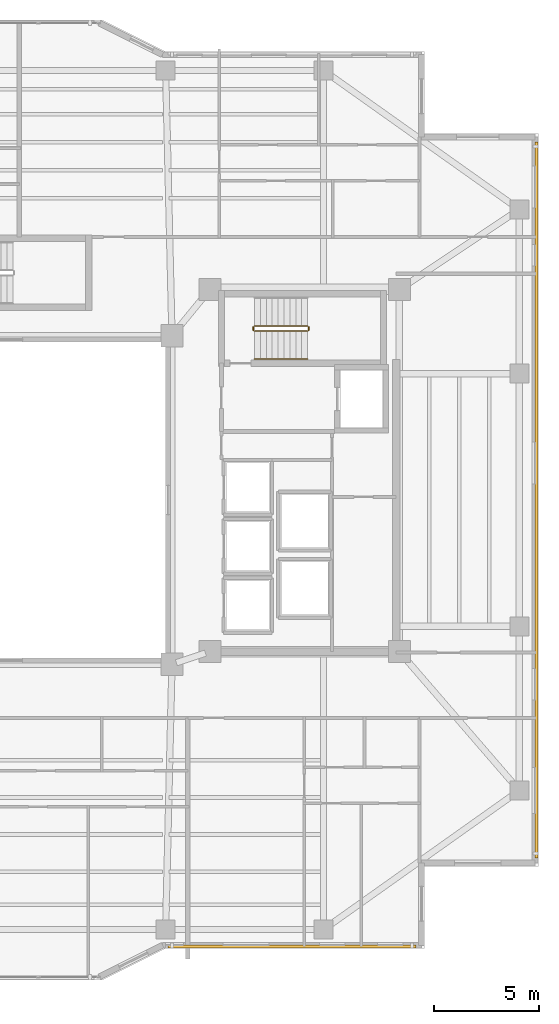
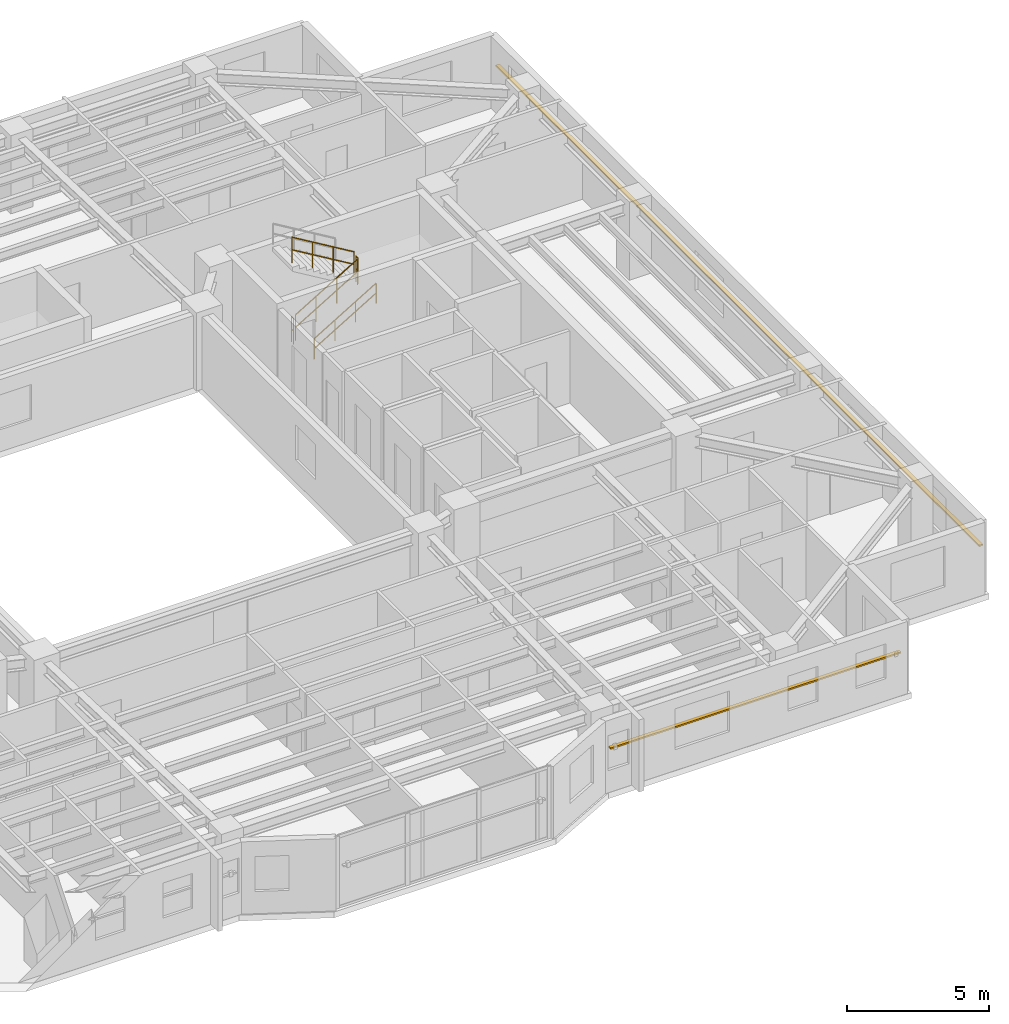
# One storey, part 14 of 15: 5 railings, 2 shading devices.
"""IFC4 building model written with IfcOpenShell, lengths in metres."""

from ifc_helpers import new_model, si_unit, direction, frame, origin, origin_2d, place, context, subcontext, project, spatial, rectangle, circle, extrude, material, material_profile, profile_set, type_object, element, save


model = new_model("IFC4")

# Units and contexts
model_context = context("Model", 3, precision=1e-05, world=origin(), true_north=direction((0.0, 1.0)))
body_context = subcontext(model_context, "Body", "Model", "MODEL_VIEW")
ifc_project = project(units=[si_unit("LENGTHUNIT", "METRE"), si_unit("AREAUNIT", "SQUARE_METRE"), si_unit("VOLUMEUNIT", "CUBIC_METRE"), si_unit("PLANEANGLEUNIT", "RADIAN"), si_unit("MASSUNIT", "GRAM", prefix="KILO")], contexts=[model_context])

# Site, building, storey
site_placement = place(None, origin())
site = spatial("IfcSite", under=ifc_project, at=site_placement, CompositionType="ELEMENT")
building_placement = place(site_placement, origin())
building = spatial("IfcBuilding", under=site, at=building_placement, Name="Tarnavaz Court Tower", CompositionType="ELEMENT")
storey_placement = place(building_placement, frame((0.0, 0.0, 162.75)))
storey = spatial("IfcBuildingStorey", under=building, at=storey_placement, Name="L44", CompositionType="ELEMENT", Elevation=162.75)

# Railings
ifc_material_1 = material(Name="Brushed Stainless Steel", Category="steel")
railing_type_1 = type_object("IfcRailingType", Name="RL-HANDRAIL-900", PredefinedType="HANDRAIL", material=ifc_material_1)
railing_1_placement = place(storey_placement, frame((11.719970703125, 6.699951171875, 0.16748046875)))
element("IfcRailing", 1, at=railing_1_placement, inside=storey, type_object=railing_type_1, Name="L44 ST-E1 stair handrail 1", PredefinedType="HANDRAIL", context=body_context, shape_type="SweptSolid", body=[
    extrude(circle(Radius=0.02392578125, at=origin_2d()), frame((0.0, 0.0, 0.8759765625), z_axis=(0.858159760407, 0.0, 0.513382728203), x_axis=(0.0, 1.0, 0.0)), (0.0, 0.0, 1.0), 2.9365234375),
    extrude(circle(Radius=0.02392578125, at=origin_2d()), frame((0.0, 0.0, 0.449951171875), z_axis=(0.858159760407, 0.0, 0.513382728203), x_axis=(0.0, 1.0, 0.0)), (0.0, 0.0, 1.0), 2.9365234375),
    extrude(circle(Radius=0.02099609375, at=origin_2d()), origin(), (0.0, 0.0, 1.0), 0.851806640625),
    extrude(circle(Radius=0.02099609375, at=origin_2d()), frame((0.840087890625, 0.0, 0.50244140625)), (0.0, 0.0, 1.0), 0.851806640625),
    extrude(circle(Radius=0.02099609375, at=origin_2d()), frame((1.679931640625, 0.0, 1.005126953125)), (0.0, 0.0, 1.0), 0.851806640625),
    extrude(circle(Radius=0.02099609375, at=origin_2d()), frame((2.52001953125, 0.0, 1.507568359375)), (0.0, 0.0, 1.0), 0.851806640625),
])
ifc_material_2 = material(Name="Galvanized Painted Tubular Steel", Category="steel")
railing_type_2 = type_object("IfcRailingType", Name="RL-STGUARD-1120", PredefinedType="GUARDRAIL", material=ifc_material_2)
railing_2_placement = place(storey_placement, frame((11.719970703125, 8.02001953125, 0.16748046875)))
element("IfcRailing", 2, at=railing_2_placement, inside=storey, type_object=railing_type_2, Name="L44 ST-E1 stair guard 1", PredefinedType="GUARDRAIL", context=body_context, shape_type="SweptSolid", body=[
    extrude(circle(Radius=0.02392578125, at=origin_2d()), frame((0.0, 0.0, 1.09619140625), z_axis=(0.858159760407, 0.0, 0.513382728203), x_axis=(0.0, 1.0, 0.0)), (0.0, 0.0, 1.0), 2.9365234375),
    extrude(circle(Radius=0.02392578125, at=origin_2d()), frame((0.0, 0.0, 0.56005859375), z_axis=(0.858159760407, 0.0, 0.513382728203), x_axis=(0.0, 1.0, 0.0)), (0.0, 0.0, 1.0), 2.9365234375),
    extrude(circle(Radius=0.02099609375, at=origin_2d()), origin(), (0.0, 0.0, 1.0), 1.072021484375),
    extrude(circle(Radius=0.02099609375, at=origin_2d()), frame((0.840087890625, 0.0, 0.50244140625)), (0.0, 0.0, 1.0), 1.072021484375),
    extrude(circle(Radius=0.02099609375, at=origin_2d()), frame((1.679931640625, 0.0, 1.005126953125)), (0.0, 0.0, 1.0), 1.072021484375),
    extrude(circle(Radius=0.02099609375, at=origin_2d()), frame((2.52001953125, 0.0, 1.507568359375)), (0.0, 0.0, 1.0), 1.072021484375),
])
railing_3_placement = place(storey_placement, frame((14.2900390625, 8.070068359375, 1.675048828125)))
element("IfcRailing", 3, at=railing_3_placement, inside=storey, type_object=railing_type_2, Name="L44 ST-E1 stair guard 2", PredefinedType="GUARDRAIL", context=body_context, shape_type="SweptSolid", body=[
    extrude(circle(Radius=0.02392578125, at=origin_2d()), frame((0.0, 0.0, 1.09619140625), z_axis=(0.0, 1.0, 0.0), x_axis=(-1.0, 0.0, 0.0)), (0.0, 0.0, 1.0), 0.14990234375),
    extrude(circle(Radius=0.02392578125, at=origin_2d()), frame((0.0, 0.0, 0.56005859375), z_axis=(0.0, 1.0, 0.0), x_axis=(-1.0, 0.0, 0.0)), (0.0, 0.0, 1.0), 0.14990234375),
    extrude(circle(Radius=0.02099609375, at=origin_2d()), origin(), (0.0, 0.0, 1.0), 1.072021484375),
    extrude(circle(Radius=0.02099609375, at=origin_2d()), frame((0.0, 0.14990234375, 0.0)), (0.0, 0.0, 1.0), 1.072021484375),
])
railing_4_placement = place(storey_placement, frame((14.239990234375, 8.27001953125, 1.842529296875)))
element("IfcRailing", 4, at=railing_4_placement, inside=storey, type_object=railing_type_2, Name="L44 ST-E1 stair guard 3", PredefinedType="GUARDRAIL", context=body_context, shape_type="SweptSolid", body=[
    extrude(circle(Radius=0.02392578125, at=origin_2d()), frame((0.0, 0.0, 1.09619140625), z_axis=(-0.858159760407, 0.0, 0.513382728203), x_axis=(0.0, -1.0, 0.0)), (0.0, 0.0, 1.0), 2.9365234375),
    extrude(circle(Radius=0.02392578125, at=origin_2d()), frame((0.0, 0.0, 0.56005859375), z_axis=(-0.858159760407, 0.0, 0.513382728203), x_axis=(0.0, -1.0, 0.0)), (0.0, 0.0, 1.0), 2.9365234375),
    extrude(circle(Radius=0.02099609375, at=origin_2d()), origin(), (0.0, 0.0, 1.0), 1.072021484375),
    extrude(circle(Radius=0.02099609375, at=origin_2d()), frame((-0.840087890625, 0.0, 0.50244140625)), (0.0, 0.0, 1.0), 1.072021484375),
    extrude(circle(Radius=0.02099609375, at=origin_2d()), frame((-1.679931640625, 0.0, 1.005126953125)), (0.0, 0.0, 1.0), 1.072021484375),
    extrude(circle(Radius=0.02099609375, at=origin_2d()), frame((-2.52001953125, 0.0, 1.507568359375)), (0.0, 0.0, 1.0), 1.072021484375),
])
railing_5_placement = place(storey_placement, frame((11.669921875, 8.070068359375, 0.0)))
element("IfcRailing", 5, at=railing_5_placement, inside=storey, type_object=railing_type_2, Name="L44 ST-E1 stair guard 4", PredefinedType="GUARDRAIL", context=body_context, shape_type="SweptSolid", body=[
    extrude(circle(Radius=0.02392578125, at=origin_2d()), frame((0.0, 0.0, 1.09619140625), z_axis=(0.0, 1.0, 0.0), x_axis=(-1.0, 0.0, 0.0)), (0.0, 0.0, 1.0), 0.14990234375),
    extrude(circle(Radius=0.02392578125, at=origin_2d()), frame((0.0, 0.0, 0.56005859375), z_axis=(0.0, 1.0, 0.0), x_axis=(-1.0, 0.0, 0.0)), (0.0, 0.0, 1.0), 0.14990234375),
    extrude(circle(Radius=0.02099609375, at=origin_2d()), origin(), (0.0, 0.0, 1.0), 1.072021484375),
    extrude(circle(Radius=0.02099609375, at=origin_2d()), frame((0.0, 0.14990234375, 0.0)), (0.0, 0.0, 1.0), 1.072021484375),
])

# Shading devices
ifc_material_3 = material(Name="Kiln-Fired Khorasan Terracotta Ceramic", Category="masonry")
ifc_material_profile = material_profile(ifc_material_3, rectangle(XDim=0.14990234375, YDim=0.06494140625, at=origin_2d()), Name="TC BAGUETTE 150X65")
ifc_profile_set = profile_set([ifc_material_profile], Name="Kiln-Fired Khorasan Terracotta Ceramic")
shading_device_type = type_object("IfcShadingDeviceType", Name="SD-BAG-150", PredefinedType="USERDEFINED", material=ifc_profile_set)
shading_device_1_placement = place(storey_placement, frame((25.110107421875, 17.0, 1.85009765625), z_axis=(0.0, -1.0, 0.0), x_axis=(1.0, 0.0, 0.0)))
element("IfcShadingDevice", 6, at=shading_device_1_placement, inside=storey, type_object=shading_device_type, Name="L44 Terracotta Baguette Screen FBG12", ObjectType="BAGUETTE", PredefinedType="USERDEFINED", context=body_context, shape_type="SweptSolid", body=[
    extrude(rectangle(XDim=0.14990234375, YDim=0.06494140625, at=origin_2d()), origin(), (0.0, 0.0, 1.0), 34.0),
])
shading_device_2_placement = place(storey_placement, frame((19.39990234375, -21.2099609375, 1.85009765625), z_axis=(-1.0, 0.0, 0.0), x_axis=(0.0, -1.0, 0.0)))
element("IfcShadingDevice", 7, at=shading_device_2_placement, inside=storey, type_object=shading_device_type, Name="L44 Terracotta Baguette Screen FBG15", ObjectType="BAGUETTE", PredefinedType="USERDEFINED", context=body_context, shape_type="SweptSolid", body=[
    extrude(rectangle(XDim=0.14990234375, YDim=0.06494140625, at=origin_2d()), origin(), (0.0, 0.0, 1.0), 11.7998046875),
])

save(model, "model.ifc")
